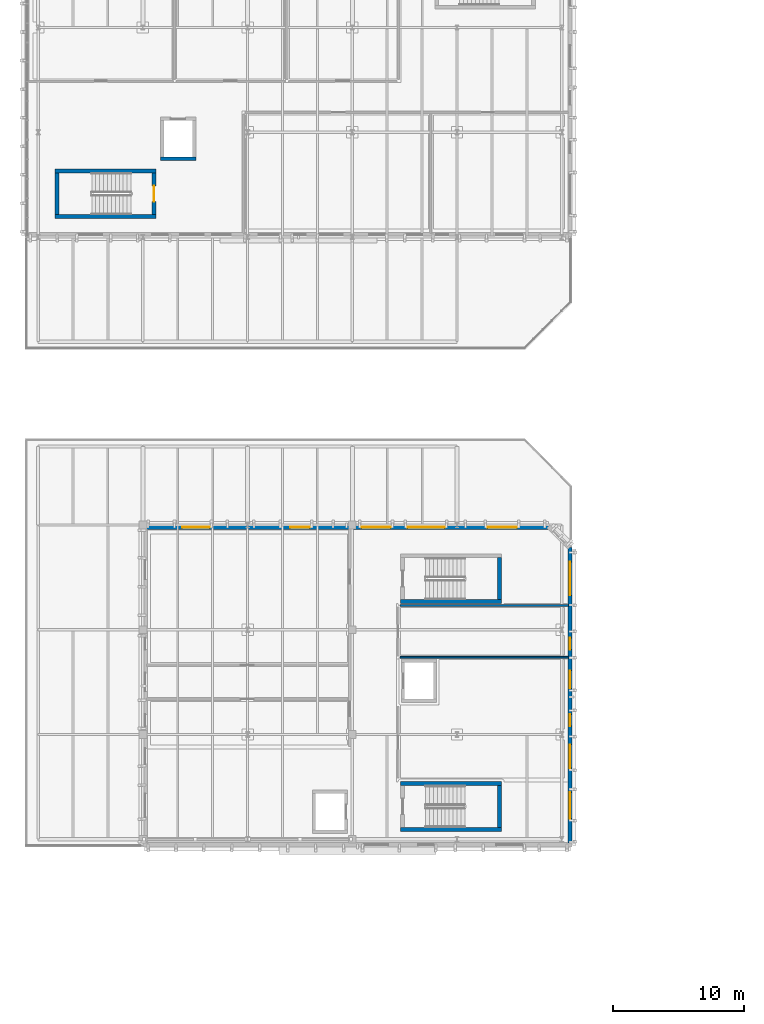
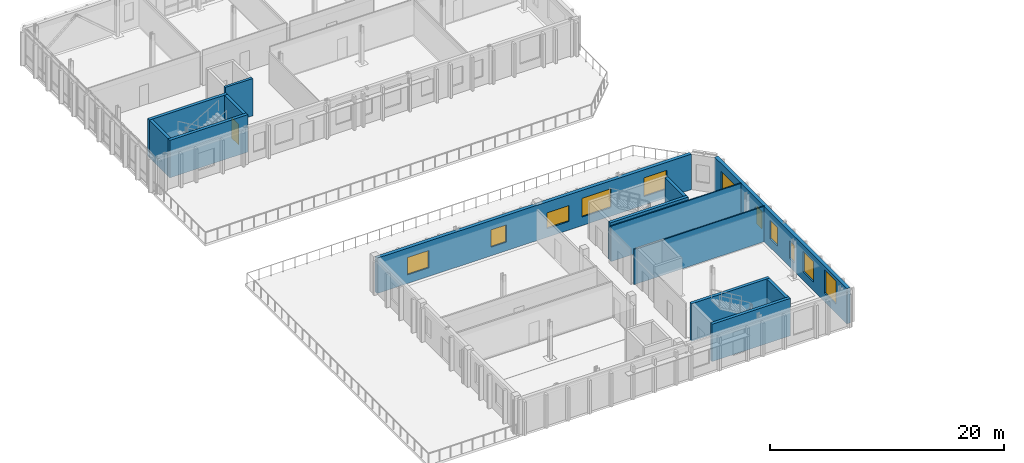
# One storey, part 25 of 43: 14 walls, 11 windows, 1 door, 12 openings.
"""IFC4 building model written with IfcOpenShell, lengths in metres."""

from ifc_helpers import new_model, si_unit, direction, frame, frame_2d, origin, place, context, subcontext, project, spatial, rectangle, extrude, material, layer, layer_set, type_object, element, fill, save


model = new_model("IFC4")

# Units and contexts
model_context = context("Model", 3, precision=1e-05, world=origin(), true_north=direction((0.0, 1.0)))
body_context = subcontext(model_context, "Body", "Model", "MODEL_VIEW")
ifc_project = project(units=[si_unit("LENGTHUNIT", "METRE"), si_unit("AREAUNIT", "SQUARE_METRE"), si_unit("VOLUMEUNIT", "CUBIC_METRE"), si_unit("PLANEANGLEUNIT", "RADIAN"), si_unit("MASSUNIT", "GRAM", prefix="KILO")], contexts=[model_context])

# Site, building, storey
site_placement = place(None, origin())
site = spatial("IfcSite", under=ifc_project, at=site_placement, CompositionType="ELEMENT")
building_placement = place(site_placement, origin())
building = spatial("IfcBuilding", under=site, at=building_placement, Name="Cymarion Research Institute", CompositionType="ELEMENT")
storey_placement = place(building_placement, frame((0.0, 0.0, 22.800048828125)))
storey = spatial("IfcBuildingStorey", under=building, at=storey_placement, Name="L05", CompositionType="ELEMENT", Elevation=22.800048828125)

# Wall, openings, windows
ifc_material_1 = material(Name="Precast concrete C40/50", Category="concrete")
ifc_layer_1 = layer(ifc_material_1, 0.340087890625)
ifc_layer_set_1 = layer_set([ifc_layer_1], Name="Precast concrete C40/50")
wall_type_1 = type_object("IfcWallType", Name="EXTERIOR WALL EW-PC340 340MM", PredefinedType="SOLIDWALL", material=ifc_layer_set_1)
wall_1_placement = place(storey_placement, frame((47.22998046875, 47.221923828125, 0.0), z_axis=(0.0, 0.0, 1.0), x_axis=(0.0, 1.0, 0.0)))
wall_1 = element("IfcWall", 1, at=wall_1_placement, inside=storey, type_object=wall_type_1, Name="L05 V4 exterior wall EW-PC340 #240", PredefinedType="SOLIDWALL", context=body_context, shape_type="SweptSolid", body=[
    extrude(rectangle(XDim=22.578125, YDim=0.340087890625, at=frame_2d((11.2890625, 0.0))), origin(), (0.0, 0.0, 1.0), 3.679931640625),
])
opening_1_placement = place(wall_1_placement, frame((1.847900390625, 0.0, 0.89990234375)))
opening_1 = element("IfcOpeningElement", 2, at=opening_1_placement, cuts=wall_1, Name="Opening W21", PredefinedType="OPENING", context=body_context, shape_type="SweptSolid", body=[
    extrude(rectangle(XDim=2.0, YDim=2.39990234375, at=frame_2d((1.0, 1.199951171875))), frame((0.0, 0.179931640625, 0.0), z_axis=(0.0, -1.0, 0.0), x_axis=(1.0, 0.0, 0.0)), (0.0, 0.0, 1.0), 0.360107421875),
])
opening_2_placement = place(wall_1_placement, frame((5.7080078125, 0.0, 0.89990234375)))
opening_2 = element("IfcOpeningElement", 3, at=opening_2_placement, cuts=wall_1, Name="Opening W10", PredefinedType="OPENING", context=body_context, shape_type="SweptSolid", body=[
    extrude(rectangle(XDim=1.800048828125, YDim=2.10009765625, at=frame_2d((0.89990234375, 1.050048828125))), frame((0.0, 0.179931640625, 0.0), z_axis=(0.0, -1.0, 0.0), x_axis=(1.0, 0.0, 0.0)), (0.0, 0.0, 1.0), 0.360107421875),
])
opening_3_placement = place(wall_1_placement, frame((8.923095703125, 0.0, 0.89990234375)))
opening_3 = element("IfcOpeningElement", 4, at=opening_3_placement, cuts=wall_1, Name="Opening W24", PredefinedType="OPENING", context=body_context, shape_type="SweptSolid", body=[
    extrude(rectangle(XDim=0.89990234375, YDim=1.800048828125, at=frame_2d((0.449951171875, 0.89990234375))), frame((0.0, 0.179931640625, 0.0), z_axis=(0.0, -1.0, 0.0), x_axis=(1.0, 0.0, 0.0)), (0.0, 0.0, 1.0), 0.360107421875),
])
opening_4_placement = place(wall_1_placement, frame((11.802978515625, 0.0, 0.89990234375)))
opening_4 = element("IfcOpeningElement", 5, at=opening_4_placement, cuts=wall_1, Name="Opening W27", PredefinedType="OPENING", context=body_context, shape_type="SweptSolid", body=[
    extrude(rectangle(XDim=1.35009765625, YDim=1.949951171875, at=frame_2d((0.675048828125, 0.97509765625))), frame((0.0, 0.179931640625, 0.0), z_axis=(0.0, -1.0, 0.0), x_axis=(1.0, 0.0, 0.0)), (0.0, 0.0, 1.0), 0.360107421875),
])
opening_5_placement = place(wall_1_placement, frame((14.758056640625, 0.0, 0.89990234375)))
opening_5 = element("IfcOpeningElement", 6, at=opening_5_placement, cuts=wall_1, Name="Opening W24", PredefinedType="OPENING", context=body_context, shape_type="SweptSolid", body=[
    extrude(rectangle(XDim=0.89990234375, YDim=1.800048828125, at=frame_2d((0.449951171875, 0.89990234375))), frame((0.0, 0.179931640625, 0.0), z_axis=(0.0, -1.0, 0.0), x_axis=(1.0, 0.0, 0.0)), (0.0, 0.0, 1.0), 0.360107421875),
])
opening_6_placement = place(wall_1_placement, frame((18.907958984375, 0.0, 0.89990234375)))
opening_6 = element("IfcOpeningElement", 7, at=opening_6_placement, cuts=wall_1, Name="Opening W31", PredefinedType="OPENING", context=body_context, shape_type="SweptSolid", body=[
    extrude(rectangle(XDim=2.550048828125, YDim=1.949951171875, at=frame_2d((1.27490234375, 0.97509765625))), frame((0.0, 0.179931640625, 0.0), z_axis=(0.0, -1.0, 0.0), x_axis=(1.0, 0.0, 0.0)), (0.0, 0.0, 1.0), 0.360107421875),
])
ifc_material_2 = material(Name="Thermally broken aluminium window with Low-E glazing", Category="aluminium")
window_type_1 = type_object("IfcWindowType", Name="THERMALLY BROKEN ALUMINIUM WINDOW W10 1800X2100", PartitioningType="DOUBLE_PANEL_VERTICAL", PredefinedType="WINDOW", material=ifc_material_2)
window_1_placement = place(opening_2_placement, origin())
window_1 = element("IfcWindow", 8, at=window_1_placement, inside=storey, type_object=window_type_1, Name="L05 V4 facade window W10 #423", OverallHeight=2.10009765625, OverallWidth=1.800048828125, PartitioningType="SINGLE_PANEL", PredefinedType="WINDOW", context=body_context, shape_type="SweptSolid", body=[
    extrude(rectangle(XDim=1.800048828125, YDim=2.10009765625, at=frame_2d((0.89990234375, 1.050048828125))), frame((0.0, 0.030029296875, 0.0), z_axis=(0.0, -1.0, 0.0), x_axis=(1.0, 0.0, 0.0)), (0.0, 0.0, 1.0), 0.06005859375),
])
fill(opening_2, window_1)
window_type_2 = type_object("IfcWindowType", Name="THERMALLY BROKEN ALUMINIUM WINDOW W21 2000X2400", PartitioningType="DOUBLE_PANEL_VERTICAL", PredefinedType="WINDOW", material=ifc_material_2)
window_2_placement = place(opening_1_placement, origin())
window_2 = element("IfcWindow", 9, at=window_2_placement, inside=storey, type_object=window_type_2, Name="L05 V4 facade window W21 #422", OverallHeight=2.39990234375, OverallWidth=2.0, PartitioningType="SINGLE_PANEL", PredefinedType="WINDOW", context=body_context, shape_type="SweptSolid", body=[
    extrude(rectangle(XDim=2.0, YDim=2.39990234375, at=frame_2d((1.0, 1.199951171875))), frame((0.0, 0.030029296875, 0.0), z_axis=(0.0, -1.0, 0.0), x_axis=(1.0, 0.0, 0.0)), (0.0, 0.0, 1.0), 0.06005859375),
])
fill(opening_1, window_2)
window_type_3 = type_object("IfcWindowType", Name="THERMALLY BROKEN ALUMINIUM WINDOW W24 900X1800", PartitioningType="SINGLE_PANEL", PredefinedType="WINDOW", material=ifc_material_2)
window_3_placement = place(opening_3_placement, origin())
window_3 = element("IfcWindow", 10, at=window_3_placement, inside=storey, type_object=window_type_3, Name="L05 V4 facade window W24 #424", OverallHeight=1.800048828125, OverallWidth=0.89990234375, PartitioningType="SINGLE_PANEL", PredefinedType="WINDOW", context=body_context, shape_type="SweptSolid", body=[
    extrude(rectangle(XDim=0.89990234375, YDim=1.800048828125, at=frame_2d((0.449951171875, 0.89990234375))), frame((0.0, 0.030029296875, 0.0), z_axis=(0.0, -1.0, 0.0), x_axis=(1.0, 0.0, 0.0)), (0.0, 0.0, 1.0), 0.06005859375),
])
fill(opening_3, window_3)
window_4_placement = place(opening_5_placement, origin())
window_4 = element("IfcWindow", 11, at=window_4_placement, inside=storey, type_object=window_type_3, Name="L05 V4 facade window W24 #426", OverallHeight=1.800048828125, OverallWidth=0.89990234375, PartitioningType="SINGLE_PANEL", PredefinedType="WINDOW", context=body_context, shape_type="SweptSolid", body=[
    extrude(rectangle(XDim=0.89990234375, YDim=1.800048828125, at=frame_2d((0.449951171875, 0.89990234375))), frame((0.0, 0.030029296875, 0.0), z_axis=(0.0, -1.0, 0.0), x_axis=(1.0, 0.0, 0.0)), (0.0, 0.0, 1.0), 0.06005859375),
])
fill(opening_5, window_4)
window_type_4 = type_object("IfcWindowType", Name="THERMALLY BROKEN ALUMINIUM WINDOW W27 1350X1950", PartitioningType="SINGLE_PANEL", PredefinedType="WINDOW", material=ifc_material_2)
window_5_placement = place(opening_4_placement, origin())
window_5 = element("IfcWindow", 12, at=window_5_placement, inside=storey, type_object=window_type_4, Name="L05 V4 facade window W27 #425", OverallHeight=1.949951171875, OverallWidth=1.35009765625, PartitioningType="SINGLE_PANEL", PredefinedType="WINDOW", context=body_context, shape_type="SweptSolid", body=[
    extrude(rectangle(XDim=1.35009765625, YDim=1.949951171875, at=frame_2d((0.675048828125, 0.97509765625))), frame((0.0, 0.030029296875, 0.0), z_axis=(0.0, -1.0, 0.0), x_axis=(1.0, 0.0, 0.0)), (0.0, 0.0, 1.0), 0.06005859375),
])
fill(opening_4, window_5)
window_type_5 = type_object("IfcWindowType", Name="THERMALLY BROKEN ALUMINIUM WINDOW W31 2550X1950", PartitioningType="TRIPLE_PANEL_VERTICAL", PredefinedType="WINDOW", material=ifc_material_2)
window_6_placement = place(opening_6_placement, origin())
window_6 = element("IfcWindow", 13, at=window_6_placement, inside=storey, type_object=window_type_5, Name="L05 V4 facade window W31 #427", OverallHeight=1.949951171875, OverallWidth=2.550048828125, PartitioningType="SINGLE_PANEL", PredefinedType="WINDOW", context=body_context, shape_type="SweptSolid", body=[
    extrude(rectangle(XDim=2.550048828125, YDim=1.949951171875, at=frame_2d((1.27490234375, 0.97509765625))), frame((0.0, 0.030029296875, 0.0), z_axis=(0.0, -1.0, 0.0), x_axis=(1.0, 0.0, 0.0)), (0.0, 0.0, 1.0), 0.06005859375),
])
fill(opening_6, window_6)

wall_2_placement = place(storey_placement, frame((45.5771484375, 71.330078125, 0.0), z_axis=(0.0, 0.0, 1.0), x_axis=(-1.0, 0.0, 0.0)))
wall_2 = element("IfcWall", 14, at=wall_2_placement, inside=storey, type_object=wall_type_1, Name="L05 V4 exterior wall EW-PC340 #242", PredefinedType="SOLIDWALL", context=body_context, shape_type="SweptSolid", body=[
    extrude(rectangle(XDim=30.97705078125, YDim=0.340087890625, at=frame_2d((15.488525390625, 0.0))), origin(), (0.0, 0.0, 1.0), 3.679931640625),
])
opening_7_placement = place(wall_2_placement, frame((2.4140625, 0.0, 0.89990234375)))
opening_7 = element("IfcOpeningElement", 15, at=opening_7_placement, cuts=wall_2, Name="Opening W30", PredefinedType="OPENING", context=body_context, shape_type="SweptSolid", body=[
    extrude(rectangle(XDim=2.25, YDim=1.949951171875, at=frame_2d((1.125, 0.97509765625))), frame((0.0, 0.179931640625, 0.0), z_axis=(0.0, -1.0, 0.0), x_axis=(1.0, 0.0, 0.0)), (0.0, 0.0, 1.0), 0.360107421875),
])
opening_8_placement = place(wall_2_placement, frame((7.922119140625, 0.0, 0.89990234375)))
opening_8 = element("IfcOpeningElement", 16, at=opening_8_placement, cuts=wall_2, Name="Opening W32", PredefinedType="OPENING", context=body_context, shape_type="SweptSolid", body=[
    extrude(rectangle(XDim=2.85009765625, YDim=1.949951171875, at=frame_2d((1.425048828125, 0.97509765625))), frame((0.0, 0.179931640625, 0.0), z_axis=(0.0, -1.0, 0.0), x_axis=(1.0, 0.0, 0.0)), (0.0, 0.0, 1.0), 0.360107421875),
])
opening_9_placement = place(wall_2_placement, frame((12.056884765625, 0.0, 0.89990234375)))
opening_9 = element("IfcOpeningElement", 17, at=opening_9_placement, cuts=wall_2, Name="Opening W34", PredefinedType="OPENING", context=body_context, shape_type="SweptSolid", body=[
    extrude(rectangle(XDim=2.199951171875, YDim=1.64990234375, at=frame_2d((1.10009765625, 0.824951171875))), frame((0.0, 0.179931640625, 0.0), z_axis=(0.0, -1.0, 0.0), x_axis=(1.0, 0.0, 0.0)), (0.0, 0.0, 1.0), 0.360107421875),
])
opening_10_placement = place(wall_2_placement, frame((18.22705078125, 0.0, 0.89990234375)))
opening_10 = element("IfcOpeningElement", 18, at=opening_10_placement, cuts=wall_2, Name="Opening W02", PredefinedType="OPENING", context=body_context, shape_type="SweptSolid", body=[
    extrude(rectangle(XDim=1.5, YDim=1.800048828125, at=frame_2d((0.75, 0.89990234375))), frame((0.0, 0.179931640625, 0.0), z_axis=(0.0, -1.0, 0.0), x_axis=(1.0, 0.0, 0.0)), (0.0, 0.0, 1.0), 0.360107421875),
])
opening_11_placement = place(wall_2_placement, frame((25.876953125, 0.0, 0.89990234375)))
opening_11 = element("IfcOpeningElement", 19, at=opening_11_placement, cuts=wall_2, Name="Opening W04", PredefinedType="OPENING", context=body_context, shape_type="SweptSolid", body=[
    extrude(rectangle(XDim=2.10009765625, YDim=1.800048828125, at=frame_2d((1.050048828125, 0.89990234375))), frame((0.0, 0.179931640625, 0.0), z_axis=(0.0, -1.0, 0.0), x_axis=(1.0, 0.0, 0.0)), (0.0, 0.0, 1.0), 0.360107421875),
])
window_type_6 = type_object("IfcWindowType", Name="THERMALLY BROKEN ALUMINIUM WINDOW W02 1500X1800", PartitioningType="DOUBLE_PANEL_VERTICAL", PredefinedType="WINDOW", material=ifc_material_2)
window_7_placement = place(opening_10_placement, origin())
window_7 = element("IfcWindow", 20, at=window_7_placement, inside=storey, type_object=window_type_6, Name="L05 V4 facade window W02 #432", OverallHeight=1.800048828125, OverallWidth=1.5, PartitioningType="SINGLE_PANEL", PredefinedType="WINDOW", context=body_context, shape_type="SweptSolid", body=[
    extrude(rectangle(XDim=1.5, YDim=1.800048828125, at=frame_2d((0.75, 0.89990234375))), frame((0.0, 0.030029296875, 0.0), z_axis=(0.0, -1.0, 0.0), x_axis=(1.0, 0.0, 0.0)), (0.0, 0.0, 1.0), 0.06005859375),
])
fill(opening_10, window_7)
window_type_7 = type_object("IfcWindowType", Name="THERMALLY BROKEN ALUMINIUM WINDOW W04 2100X1800", PartitioningType="DOUBLE_PANEL_VERTICAL", PredefinedType="WINDOW", material=ifc_material_2)
window_8_placement = place(opening_11_placement, origin())
window_8 = element("IfcWindow", 21, at=window_8_placement, inside=storey, type_object=window_type_7, Name="L05 V4 facade window W04 #433", OverallHeight=1.800048828125, OverallWidth=2.10009765625, PartitioningType="SINGLE_PANEL", PredefinedType="WINDOW", context=body_context, shape_type="SweptSolid", body=[
    extrude(rectangle(XDim=2.10009765625, YDim=1.800048828125, at=frame_2d((1.050048828125, 0.89990234375))), frame((0.0, 0.030029296875, 0.0), z_axis=(0.0, -1.0, 0.0), x_axis=(1.0, 0.0, 0.0)), (0.0, 0.0, 1.0), 0.06005859375),
])
fill(opening_11, window_8)
window_type_8 = type_object("IfcWindowType", Name="THERMALLY BROKEN ALUMINIUM WINDOW W30 2250X1950", PartitioningType="DOUBLE_PANEL_VERTICAL", PredefinedType="WINDOW", material=ifc_material_2)
window_9_placement = place(opening_7_placement, origin())
window_9 = element("IfcWindow", 22, at=window_9_placement, inside=storey, type_object=window_type_8, Name="L05 V4 facade window W30 #429", OverallHeight=1.949951171875, OverallWidth=2.25, PartitioningType="SINGLE_PANEL", PredefinedType="WINDOW", context=body_context, shape_type="SweptSolid", body=[
    extrude(rectangle(XDim=2.25, YDim=1.949951171875, at=frame_2d((1.125, 0.97509765625))), frame((0.0, 0.030029296875, 0.0), z_axis=(0.0, -1.0, 0.0), x_axis=(1.0, 0.0, 0.0)), (0.0, 0.0, 1.0), 0.06005859375),
])
fill(opening_7, window_9)
window_type_9 = type_object("IfcWindowType", Name="THERMALLY BROKEN ALUMINIUM WINDOW W32 2850X1950", PartitioningType="TRIPLE_PANEL_VERTICAL", PredefinedType="WINDOW", material=ifc_material_2)
window_10_placement = place(opening_8_placement, origin())
window_10 = element("IfcWindow", 23, at=window_10_placement, inside=storey, type_object=window_type_9, Name="L05 V4 facade window W32 #430", OverallHeight=1.949951171875, OverallWidth=2.85009765625, PartitioningType="SINGLE_PANEL", PredefinedType="WINDOW", context=body_context, shape_type="SweptSolid", body=[
    extrude(rectangle(XDim=2.85009765625, YDim=1.949951171875, at=frame_2d((1.425048828125, 0.97509765625))), frame((0.0, 0.030029296875, 0.0), z_axis=(0.0, -1.0, 0.0), x_axis=(1.0, 0.0, 0.0)), (0.0, 0.0, 1.0), 0.06005859375),
])
fill(opening_8, window_10)
window_type_10 = type_object("IfcWindowType", Name="THERMALLY BROKEN ALUMINIUM WINDOW W34 2200X1650", PartitioningType="DOUBLE_PANEL_VERTICAL", PredefinedType="WINDOW", material=ifc_material_2)
window_11_placement = place(opening_9_placement, origin())
window_11 = element("IfcWindow", 24, at=window_11_placement, inside=storey, type_object=window_type_10, Name="L05 V4 facade window W34 #431", OverallHeight=1.64990234375, OverallWidth=2.199951171875, PartitioningType="SINGLE_PANEL", PredefinedType="WINDOW", context=body_context, shape_type="SweptSolid", body=[
    extrude(rectangle(XDim=2.199951171875, YDim=1.64990234375, at=frame_2d((1.10009765625, 0.824951171875))), frame((0.0, 0.030029296875, 0.0), z_axis=(0.0, -1.0, 0.0), x_axis=(1.0, 0.0, 0.0)), (0.0, 0.0, 1.0), 0.06005859375),
])
fill(opening_9, window_11)

# Walls
ifc_material_3 = material(Name="Service riser shaft wall", Category="gypsum")
ifc_layer_2 = layer(ifc_material_3, 0.1201171875)
ifc_layer_set_2 = layer_set([ifc_layer_2], Name="Service riser shaft wall")
wall_type_2 = type_object("IfcWallType", Name="INTERIOR PARTITION IW-SH120 120MM", PredefinedType="PARTITIONING", material=ifc_layer_set_2)
for number, where, z_axis, x_axis, name in (
    (25, (34.25, 61.39990234375, 0.0), (0.0, 0.0, 1.0), (1.0, 0.0, 0.0), "L05 V4 interior partition IW-SH120 #333"),
    (26, (34.25, 65.35009765625, 0.0), (0.0, 0.0, 1.0), (1.0, 0.0, 0.0), "L05 V4 interior partition IW-SH120 #334"),
):
    element("IfcWall", number, at=place(storey_placement, frame(where, z_axis=z_axis, x_axis=x_axis)), inside=storey, type_object=wall_type_2, Name=name, PredefinedType="PARTITIONING", context=body_context, shape_type="SweptSolid", body=[
        extrude(rectangle(XDim=12.864990234375, YDim=0.1201171875, at=frame_2d((6.4326171875, 0.0))), origin(), (0.0, 0.0, 1.0), 3.679931640625),
    ])
ifc_material_4 = material(Name="Concrete C40/50", Category="concrete")
ifc_layer_3 = layer(ifc_material_4, 0.25)
ifc_layer_set_3 = layer_set([ifc_layer_3], Name="Concrete C40/50")
wall_type_3 = type_object("IfcWallType", Name="REINFORCED CONCRETE CORE WALL CW-SH250 250MM", PredefinedType="SHEAR", material=ifc_layer_set_3)
wall_3_placement = place(storey_placement, frame((15.949951171875, 99.47509765625, 0.0), z_axis=(0.0, 0.0, 1.0), x_axis=(1.0, 0.0, 0.0)))
element("IfcWall", 27, at=wall_3_placement, inside=storey, type_object=wall_type_3, Name="L05 LSH-LP5-L05 south core wall", PredefinedType="SHEAR", context=body_context, shape_type="SweptSolid", body=[
    extrude(rectangle(XDim=2.699951171875, YDim=0.25, at=frame_2d((1.35009765625, 0.0))), origin(), (0.0, 0.0, 1.0), 3.89990234375),
])
ifc_layer_4 = layer(ifc_material_4, 0.300048828125)
ifc_layer_set_4 = layer_set([ifc_layer_4], Name="Concrete C40/50")
wall_type_4 = type_object("IfcWallType", Name="REINFORCED CONCRETE CORE WALL CW-SH300 300MM", PredefinedType="SHEAR", material=ifc_layer_set_4)
for number, where, z_axis, x_axis, name in (
    (28, (34.300048828125, 48.25, 0.0), (0.0, 0.0, 1.0), (1.0, 0.0, 0.0), "L05 SHW-C7-L05 south core wall"),
    (29, (42.0, 51.75, 0.0), (0.0, 0.0, 1.0), (-1.0, 0.0, 0.0), "L05 SHW-C7-L05 north core wall"),
):
    element("IfcWall", number, at=place(storey_placement, frame(where, z_axis=z_axis, x_axis=x_axis)), inside=storey, type_object=wall_type_4, Name=name, PredefinedType="SHEAR", context=body_context, shape_type="SweptSolid", body=[
        extrude(rectangle(XDim=7.699951171875, YDim=0.300048828125, at=frame_2d((3.85009765625, 0.0))), origin(), (0.0, 0.0, 1.0), 3.89990234375),
    ])
wall_4_placement = place(storey_placement, frame((41.85009765625, 48.39990234375, 0.0), z_axis=(0.0, 0.0, 1.0), x_axis=(0.0, 1.0, 0.0)))
element("IfcWall", 30, at=wall_4_placement, inside=storey, type_object=wall_type_4, Name="L05 SHW-C7-L05 east core wall", PredefinedType="SHEAR", context=body_context, shape_type="SweptSolid", body=[
    extrude(rectangle(XDim=3.2001953125, YDim=0.300048828125, at=frame_2d((1.60009765625, 0.0))), origin(), (0.0, 0.0, 1.0), 3.89990234375),
])
wall_5_placement = place(storey_placement, frame((34.300048828125, 65.64990234375, 0.0), z_axis=(0.0, 0.0, 1.0), x_axis=(1.0, 0.0, 0.0)))
element("IfcWall", 31, at=wall_5_placement, inside=storey, type_object=wall_type_4, Name="L05 SHW-C8-L05 south core wall", PredefinedType="SHEAR", context=body_context, shape_type="SweptSolid", body=[
    extrude(rectangle(XDim=7.699951171875, YDim=0.300048828125, at=frame_2d((3.85009765625, 0.0))), origin(), (0.0, 0.0, 1.0), 3.89990234375),
])
wall_6_placement = place(storey_placement, frame((41.85009765625, 65.800048828125, 0.0), z_axis=(0.0, 0.0, 1.0), x_axis=(0.0, 1.0, 0.0)))
element("IfcWall", 32, at=wall_6_placement, inside=storey, type_object=wall_type_4, Name="L05 SHW-C8-L05 east core wall", PredefinedType="SHEAR", context=body_context, shape_type="SweptSolid", body=[
    extrude(rectangle(XDim=3.199951171875, YDim=0.300048828125, at=frame_2d((1.60009765625, 0.0))), origin(), (0.0, 0.0, 1.0), 3.89990234375),
])
for number, where, z_axis, x_axis, name in (
    (33, (7.89990234375, 95.050048828125, 0.0), (0.0, 0.0, 1.0), (1.0, 0.0, 0.0), "L05 SHW-C9-L05 south core wall"),
    (34, (15.60009765625, 98.550048828125, 0.0), (0.0, 0.0, 1.0), (-1.0, 0.0, 0.0), "L05 SHW-C9-L05 north core wall"),
):
    element("IfcWall", number, at=place(storey_placement, frame(where, z_axis=z_axis, x_axis=x_axis)), inside=storey, type_object=wall_type_4, Name=name, PredefinedType="SHEAR", context=body_context, shape_type="SweptSolid", body=[
        extrude(rectangle(XDim=7.7001953125, YDim=0.300048828125, at=frame_2d((3.85009765625, 0.0))), origin(), (0.0, 0.0, 1.0), 3.89990234375),
    ])
wall_7_placement = place(storey_placement, frame((8.050048828125, 98.39990234375, 0.0), z_axis=(0.0, 0.0, 1.0), x_axis=(0.0, -1.0, 0.0)))
element("IfcWall", 35, at=wall_7_placement, inside=storey, type_object=wall_type_4, Name="L05 SHW-C9-L05 west core wall", PredefinedType="SHEAR", context=body_context, shape_type="SweptSolid", body=[
    extrude(rectangle(XDim=3.199951171875, YDim=0.300048828125, at=frame_2d((1.60009765625, 0.0))), origin(), (0.0, 0.0, 1.0), 3.89990234375),
])

# Wall, opening, door
wall_8_placement = place(storey_placement, frame((15.449951171875, 95.199951171875, 0.0), z_axis=(0.0, 0.0, 1.0), x_axis=(0.0, 1.0, 0.0)))
wall_8 = element("IfcWall", 36, at=wall_8_placement, inside=storey, type_object=wall_type_4, Name="L05 SHW-C9-L05 east core wall", PredefinedType="SHEAR", context=body_context, shape_type="SweptSolid", body=[
    extrude(rectangle(XDim=3.199951171875, YDim=0.300048828125, at=frame_2d((1.60009765625, 0.0))), origin(), (0.0, 0.0, 1.0), 3.89990234375),
])
opening_12_placement = place(wall_8_placement, frame((1.0, 0.0, 0.0)))
opening_12 = element("IfcOpeningElement", 37, at=opening_12_placement, cuts=wall_8, Name="Opening FD-L05-ST9", PredefinedType="OPENING", context=body_context, shape_type="SweptSolid", body=[
    extrude(rectangle(XDim=1.199951171875, YDim=2.14990234375, at=frame_2d((0.60009765625, 1.074951171875))), frame((0.0, 0.159912109375, 0.0), z_axis=(0.0, -1.0, 0.0), x_axis=(1.0, 0.0, 0.0)), (0.0, 0.0, 1.0), 0.320068359375),
])
ifc_material_5 = material(Name="Fire-rated insulated steel door assembly", Category="steel")
door_type = type_object("IfcDoorType", Name="SMOKE PROOF STAIR FIRE DOOR DT-ST120 1200X2150", OperationType="NOTDEFINED", PredefinedType="DOOR", material=ifc_material_5)
door_placement = place(opening_12_placement, origin())
door = element("IfcDoor", 38, at=door_placement, inside=storey, type_object=door_type, Name="L05 ST9 smoke-proof stair door FD-L05-ST9", OperationType="SINGLE_SWING_LEFT", OverallHeight=2.14990234375, OverallWidth=1.199951171875, PredefinedType="DOOR", context=body_context, shape_type="SweptSolid", body=[
    extrude(rectangle(XDim=1.199951171875, YDim=2.14990234375, at=frame_2d((0.60009765625, 1.074951171875))), frame((0.0, 0.02490234375, 0.0), z_axis=(0.0, -1.0, 0.0), x_axis=(1.0, 0.0, 0.0)), (0.0, 0.0, 1.0), 0.050048828125),
])
fill(opening_12, door)

save(model, "model.ifc")
